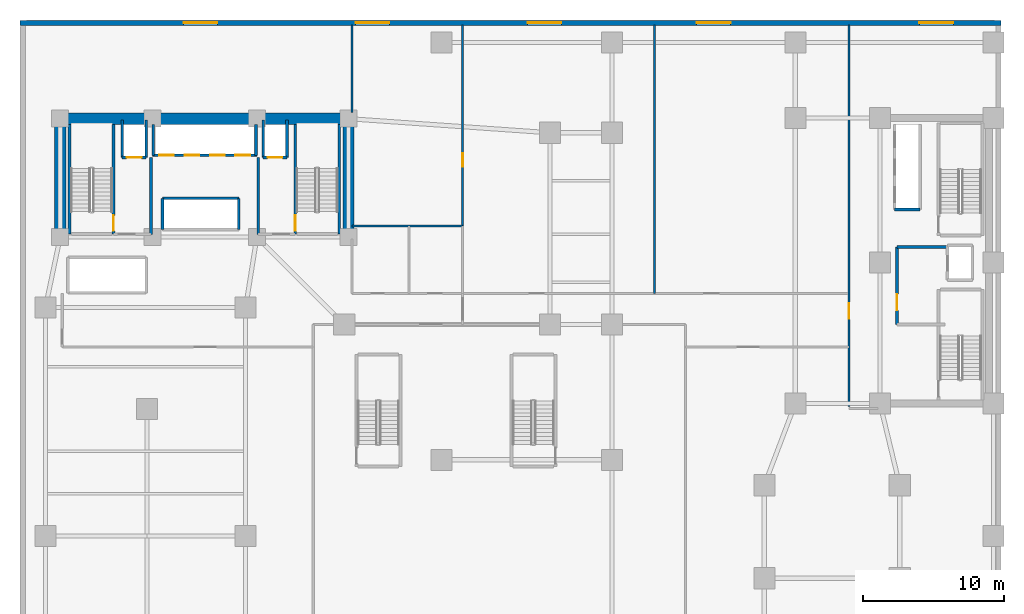
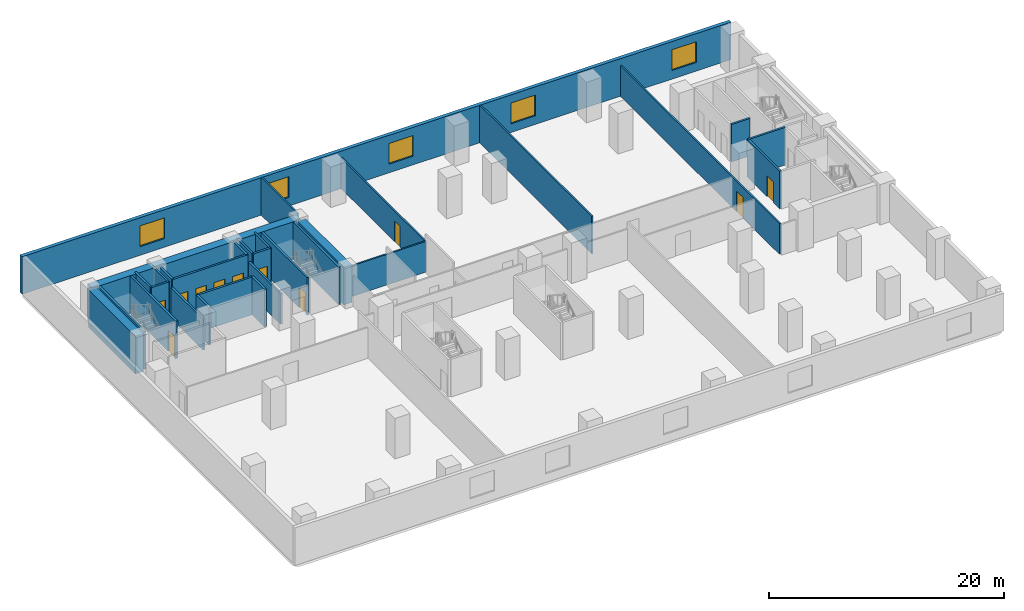
# One storey, part 4 of 8: 30 walls, 11 doors, 5 windows, 16 openings.
"""IFC4 building model written with IfcOpenShell, lengths in metres."""

from ifc_helpers import new_model, si_unit, direction, frame, frame_2d, origin, place, context, subcontext, project, spatial, rectangle, extrude, material, layer, layer_set, type_object, element, fill, save


model = new_model("IFC4")

# Units and contexts
model_context = context("Model", 3, precision=1e-05, world=origin(), true_north=direction((0.0, 1.0)))
body_context = subcontext(model_context, "Body", "Model", "MODEL_VIEW")
ifc_project = project(units=[si_unit("LENGTHUNIT", "METRE"), si_unit("AREAUNIT", "SQUARE_METRE"), si_unit("VOLUMEUNIT", "CUBIC_METRE"), si_unit("PLANEANGLEUNIT", "RADIAN"), si_unit("MASSUNIT", "GRAM", prefix="KILO")], contexts=[model_context])

# Site, building, storey
site_placement = place(None, origin())
site = spatial("IfcSite", under=ifc_project, at=site_placement, CompositionType="ELEMENT")
building_placement = place(site_placement, origin())
building = spatial("IfcBuilding", under=site, at=building_placement, Name="Kuzgunbayir Cultural Tower", CompositionType="ELEMENT")
storey_placement = place(building_placement, frame((0.0, 0.0, 17.60009765625)))
storey = spatial("IfcBuildingStorey", under=building, at=storey_placement, Name="L04", CompositionType="ELEMENT", Elevation=17.60009765625)

# Walls
ifc_material_1 = material(Name="Concrete C60/75", Category="concrete")
ifc_layer_1 = layer(ifc_material_1, 0.800048828125)
ifc_layer_set_1 = layer_set([ifc_layer_1], Name="Concrete C60/75")
wall_type_1 = type_object("IfcWallType", Name="WAL-CORE-800", PredefinedType="SHEAR", material=ifc_layer_set_1)
wall_1_placement = place(storey_placement, frame((6.449951171875, 42.199951171875, 0.0), z_axis=(0.0, 0.0, 1.0), x_axis=(1.0, 0.0, 0.0)))
element("IfcWall", 1, at=wall_1_placement, inside=storey, type_object=wall_type_1, Name="L04 T1 Core North Shear Wall", PredefinedType="SHEAR", context=body_context, shape_type="SweptSolid", body=[
    extrude(rectangle(XDim=20.449951171875, YDim=0.800048828125, at=frame_2d((10.22509765625, 0.0))), origin(), (0.0, 0.0, 1.0), 3.89990234375),
])
for number, where, z_axis, x_axis, name in (
    (2, (6.449951171875, 33.800048828125, 0.0), (0.0, 0.0, 1.0), (0.0, 1.0, 0.0), "L04 T1 Core West Shear Wall"),
    (3, (26.89990234375, 33.800048828125, 0.0), (0.0, 0.0, 1.0), (0.0, 1.0, 0.0), "L04 T1 Core East Shear Wall"),
):
    element("IfcWall", number, at=place(storey_placement, frame(where, z_axis=z_axis, x_axis=x_axis)), inside=storey, type_object=wall_type_1, Name=name, PredefinedType="SHEAR", context=body_context, shape_type="SweptSolid", body=[
        extrude(rectangle(XDim=7.949951171875, YDim=0.800048828125, at=frame_2d((3.97509765625, 0.0))), origin(), (0.0, 0.0, 1.0), 3.89990234375),
    ])

# Wall, openings, windows
ifc_material_2 = material(Name="Anatolian Cream Limestone", Category="masonry")
ifc_layer_2 = layer(ifc_material_2, 0.35009765625)
ifc_layer_set_2 = layer_set([ifc_layer_2], Name="Anatolian Cream Limestone")
wall_type_2 = type_object("IfcWallType", Name="WAL-EXT-STONE-350", PredefinedType="STANDARD", material=ifc_layer_set_2)
wall_2_placement = place(storey_placement, frame((73.199951171875, 49.0, 0.0), z_axis=(0.0, 0.0, 1.0), x_axis=(-1.0, 0.0, 0.0)))
wall_2 = element("IfcWall", 4, at=wall_2_placement, inside=storey, type_object=wall_type_2, Name="L04 Podium North Limestone Facade", PredefinedType="STANDARD", context=body_context, shape_type="SweptSolid", body=[
    extrude(rectangle(XDim=69.599853515625, YDim=0.35009765625, at=frame_2d((34.7998046875, 0.0))), origin(), (0.0, 0.0, 1.0), 3.89990234375),
])
opening_1_placement = place(wall_2_placement, frame((3.39990234375, 0.0, 0.89990234375)))
opening_1 = element("IfcOpeningElement", 5, at=opening_1_placement, cuts=wall_2, Name="Opening WG-24", PredefinedType="OPENING", context=body_context, shape_type="SweptSolid", body=[
    extrude(rectangle(XDim=2.39990234375, YDim=2.14990234375, at=frame_2d((1.199951171875, 1.074951171875))), frame((0.0, 0.18505859375, 0.0), z_axis=(0.0, -1.0, 0.0), x_axis=(1.0, 0.0, 0.0)), (0.0, 0.0, 1.0), 0.3701171875),
])
opening_2_placement = place(wall_2_placement, frame((19.199951171875, 0.0, 0.89990234375)))
opening_2 = element("IfcOpeningElement", 6, at=opening_2_placement, cuts=wall_2, Name="Opening WG-24", PredefinedType="OPENING", context=body_context, shape_type="SweptSolid", body=[
    extrude(rectangle(XDim=2.39990234375, YDim=2.14990234375, at=frame_2d((1.199951171875, 1.074951171875))), frame((0.0, 0.18505859375, 0.0), z_axis=(0.0, -1.0, 0.0), x_axis=(1.0, 0.0, 0.0)), (0.0, 0.0, 1.0), 0.3701171875),
])
opening_3_placement = place(wall_2_placement, frame((31.199951171875, 0.0, 0.89990234375)))
opening_3 = element("IfcOpeningElement", 7, at=opening_3_placement, cuts=wall_2, Name="Opening WG-24", PredefinedType="OPENING", context=body_context, shape_type="SweptSolid", body=[
    extrude(rectangle(XDim=2.39990234375, YDim=2.14990234375, at=frame_2d((1.199951171875, 1.074951171875))), frame((0.0, 0.18505859375, 0.0), z_axis=(0.0, -1.0, 0.0), x_axis=(1.0, 0.0, 0.0)), (0.0, 0.0, 1.0), 0.3701171875),
])
opening_4_placement = place(wall_2_placement, frame((43.39990234375, 0.0, 0.89990234375)))
opening_4 = element("IfcOpeningElement", 8, at=opening_4_placement, cuts=wall_2, Name="Opening WG-24", PredefinedType="OPENING", context=body_context, shape_type="SweptSolid", body=[
    extrude(rectangle(XDim=2.39990234375, YDim=2.14990234375, at=frame_2d((1.199951171875, 1.074951171875))), frame((0.0, 0.18505859375, 0.0), z_axis=(0.0, -1.0, 0.0), x_axis=(1.0, 0.0, 0.0)), (0.0, 0.0, 1.0), 0.3701171875),
])
opening_5_placement = place(wall_2_placement, frame((55.60009765625, 0.0, 0.89990234375)))
opening_5 = element("IfcOpeningElement", 9, at=opening_5_placement, cuts=wall_2, Name="Opening WG-24", PredefinedType="OPENING", context=body_context, shape_type="SweptSolid", body=[
    extrude(rectangle(XDim=2.39990234375, YDim=2.14990234375, at=frame_2d((1.199951171875, 1.074951171875))), frame((0.0, 0.18505859375, 0.0), z_axis=(0.0, -1.0, 0.0), x_axis=(1.0, 0.0, 0.0)), (0.0, 0.0, 1.0), 0.3701171875),
])
ifc_material_3 = material(Name="Solar-Control Triple Glazing", Category="glass")
window_type = type_object("IfcWindowType", Name="WIN-GALLERY-24", PartitioningType="SINGLE_PANEL", PredefinedType="WINDOW", material=ifc_material_3)
window_1_placement = place(opening_1_placement, origin())
window_1 = element("IfcWindow", 10, at=window_1_placement, inside=storey, type_object=window_type, Name="L04 Podium North Gallery Window 1", OverallHeight=2.14990234375, OverallWidth=2.39990234375, PartitioningType="SINGLE_PANEL", PredefinedType="WINDOW", context=body_context, shape_type="SweptSolid", body=[
    extrude(rectangle(XDim=2.39990234375, YDim=2.14990234375, at=frame_2d((1.199951171875, 1.074951171875))), frame((0.0, 0.030029296875, 0.0), z_axis=(0.0, -1.0, 0.0), x_axis=(1.0, 0.0, 0.0)), (0.0, 0.0, 1.0), 0.06005859375),
])
fill(opening_1, window_1)
window_2_placement = place(opening_2_placement, origin())
window_2 = element("IfcWindow", 11, at=window_2_placement, inside=storey, type_object=window_type, Name="L04 Podium North Gallery Window 2", OverallHeight=2.14990234375, OverallWidth=2.39990234375, PartitioningType="SINGLE_PANEL", PredefinedType="WINDOW", context=body_context, shape_type="SweptSolid", body=[
    extrude(rectangle(XDim=2.39990234375, YDim=2.14990234375, at=frame_2d((1.199951171875, 1.074951171875))), frame((0.0, 0.030029296875, 0.0), z_axis=(0.0, -1.0, 0.0), x_axis=(1.0, 0.0, 0.0)), (0.0, 0.0, 1.0), 0.06005859375),
])
fill(opening_2, window_2)
window_3_placement = place(opening_3_placement, origin())
window_3 = element("IfcWindow", 12, at=window_3_placement, inside=storey, type_object=window_type, Name="L04 Podium North Gallery Window 3", OverallHeight=2.14990234375, OverallWidth=2.39990234375, PartitioningType="SINGLE_PANEL", PredefinedType="WINDOW", context=body_context, shape_type="SweptSolid", body=[
    extrude(rectangle(XDim=2.39990234375, YDim=2.14990234375, at=frame_2d((1.199951171875, 1.074951171875))), frame((0.0, 0.030029296875, 0.0), z_axis=(0.0, -1.0, 0.0), x_axis=(1.0, 0.0, 0.0)), (0.0, 0.0, 1.0), 0.06005859375),
])
fill(opening_3, window_3)
window_4_placement = place(opening_4_placement, origin())
window_4 = element("IfcWindow", 13, at=window_4_placement, inside=storey, type_object=window_type, Name="L04 Podium North Gallery Window 4", OverallHeight=2.14990234375, OverallWidth=2.39990234375, PartitioningType="SINGLE_PANEL", PredefinedType="WINDOW", context=body_context, shape_type="SweptSolid", body=[
    extrude(rectangle(XDim=2.39990234375, YDim=2.14990234375, at=frame_2d((1.199951171875, 1.074951171875))), frame((0.0, 0.030029296875, 0.0), z_axis=(0.0, -1.0, 0.0), x_axis=(1.0, 0.0, 0.0)), (0.0, 0.0, 1.0), 0.06005859375),
])
fill(opening_4, window_4)
window_5_placement = place(opening_5_placement, origin())
window_5 = element("IfcWindow", 14, at=window_5_placement, inside=storey, type_object=window_type, Name="L04 Podium North Gallery Window 5", OverallHeight=2.14990234375, OverallWidth=2.39990234375, PartitioningType="SINGLE_PANEL", PredefinedType="WINDOW", context=body_context, shape_type="SweptSolid", body=[
    extrude(rectangle(XDim=2.39990234375, YDim=2.14990234375, at=frame_2d((1.199951171875, 1.074951171875))), frame((0.0, 0.030029296875, 0.0), z_axis=(0.0, -1.0, 0.0), x_axis=(1.0, 0.0, 0.0)), (0.0, 0.0, 1.0), 0.06005859375),
])
fill(opening_5, window_5)

# Wall, opening, door
ifc_material_4 = material(Name="Acoustic Double-Stud Drywall", Category="gypsum")
ifc_layer_3 = layer(ifc_material_4, 0.14990234375)
ifc_layer_set_3 = layer_set([ifc_layer_3], Name="Acoustic Double-Stud Drywall")
wall_type_3 = type_object("IfcWallType", Name="WAL-PART-ACOUSTIC-150", PredefinedType="PARTITIONING", material=ifc_layer_set_3)
wall_3_placement = place(storey_placement, frame((35.0, 34.60009765625, 0.0), z_axis=(0.0, 0.0, 1.0), x_axis=(0.0, 1.0, 0.0)))
wall_3 = element("IfcWall", 15, at=wall_3_placement, inside=storey, type_object=wall_type_3, Name="L04 Archive West Wall", PredefinedType="PARTITIONING", context=body_context, shape_type="SweptSolid", body=[
    extrude(rectangle(XDim=14.25, YDim=0.14990234375, at=frame_2d((7.125, 0.0))), origin(), (0.0, 0.0, 1.0), 3.179931640625),
])
opening_6_placement = place(wall_3_placement, frame((4.199951171875, 0.0, 0.0)))
opening_6 = element("IfcOpeningElement", 16, at=opening_6_placement, cuts=wall_3, Name="Opening DI-90", PredefinedType="OPENING", context=body_context, shape_type="SweptSolid", body=[
    extrude(rectangle(XDim=0.949951171875, YDim=2.14990234375, at=frame_2d((0.47509765625, 1.074951171875))), frame((0.0, 0.0849609375, 0.0), z_axis=(0.0, -1.0, 0.0), x_axis=(1.0, 0.0, 0.0)), (0.0, 0.0, 1.0), 0.169921875),
])
ifc_material_5 = material(Name="Veneered Oak Single Leaf", Category="wood")
door_type_1 = type_object("IfcDoorType", Name="DR-INT-90", OperationType="NOTDEFINED", PredefinedType="DOOR", material=ifc_material_5)
door_1_placement = place(opening_6_placement, origin())
door_1 = element("IfcDoor", 17, at=door_1_placement, inside=storey, type_object=door_type_1, Name="L04 Collection Study Room Door", OperationType="SINGLE_SWING_LEFT", OverallHeight=2.14990234375, OverallWidth=0.949951171875, PredefinedType="DOOR", context=body_context, shape_type="SweptSolid", body=[
    extrude(rectangle(XDim=0.949951171875, YDim=2.14990234375, at=frame_2d((0.47509765625, 1.074951171875))), frame((0.0, 0.02490234375, 0.0), z_axis=(0.0, -1.0, 0.0), x_axis=(1.0, 0.0, 0.0)), (0.0, 0.0, 1.0), 0.050048828125),
])
fill(opening_6, door_1)

# Wall
wall_4_placement = place(storey_placement, frame((48.60009765625, 29.800048828125, 0.0), z_axis=(0.0, 0.0, 1.0), x_axis=(0.0, 1.0, 0.0)))
element("IfcWall", 18, at=wall_4_placement, inside=storey, type_object=wall_type_3, Name="L04 North Gallery Divider", PredefinedType="PARTITIONING", context=body_context, shape_type="SweptSolid", body=[
    extrude(rectangle(XDim=19.050048828125, YDim=0.14990234375, at=frame_2d((9.52490234375, 0.0))), origin(), (0.0, 0.0, 1.0), 3.89990234375),
])

# Wall, opening, door
wall_5_placement = place(storey_placement, frame((62.39990234375, 21.800048828125, 0.0), z_axis=(0.0, 0.0, 1.0), x_axis=(0.0, 1.0, 0.0)))
wall_5 = element("IfcWall", 19, at=wall_5_placement, inside=storey, type_object=wall_type_3, Name="L04 Companion Core West Wall", PredefinedType="PARTITIONING", context=body_context, shape_type="SweptSolid", body=[
    extrude(rectangle(XDim=27.050048828125, YDim=0.14990234375, at=frame_2d((13.52490234375, 0.0))), origin(), (0.0, 0.0, 1.0), 3.179931640625),
])
opening_7_placement = place(wall_5_placement, frame((6.199951171875, 0.0, 0.0)))
opening_7 = element("IfcOpeningElement", 20, at=opening_7_placement, cuts=wall_5, Name="Opening DR-STAIR-90", PredefinedType="OPENING", context=body_context, shape_type="SweptSolid", body=[
    extrude(rectangle(XDim=1.10009765625, YDim=2.14990234375, at=frame_2d((0.550048828125, 1.074951171875))), frame((0.0, 0.0849609375, 0.0), z_axis=(0.0, -1.0, 0.0), x_axis=(1.0, 0.0, 0.0)), (0.0, 0.0, 1.0), 0.169921875),
])
ifc_material_6 = material(Name="Steel S355J2", Category="steel")
door_type_2 = type_object("IfcDoorType", Name="DR-STAIR-90", OperationType="NOTDEFINED", PredefinedType="DOOR", material=ifc_material_6)
door_2_placement = place(opening_7_placement, origin())
door_2 = element("IfcDoor", 21, at=door_2_placement, inside=storey, type_object=door_type_2, Name="L04 Companion Core Concourse Door", OperationType="SINGLE_SWING_LEFT", OverallHeight=2.14990234375, OverallWidth=1.10009765625, PredefinedType="DOOR", context=body_context, shape_type="SweptSolid", body=[
    extrude(rectangle(XDim=1.10009765625, YDim=2.14990234375, at=frame_2d((0.550048828125, 1.074951171875))), frame((0.0, 0.02490234375, 0.0), z_axis=(0.0, -1.0, 0.0), x_axis=(1.0, 0.0, 0.0)), (0.0, 0.0, 1.0), 0.050048828125),
])
fill(opening_7, door_2)

# Walls
ifc_material_7 = material(Name="Aerated Concrete Blockwork", Category="masonry")
ifc_layer_4 = layer(ifc_material_7, 0.199951171875)
ifc_layer_set_4 = layer_set([ifc_layer_4], Name="Aerated Concrete Blockwork")
wall_type_4 = type_object("IfcWallType", Name="WAL-PART-FIRE-200", PredefinedType="PARTITIONING", material=ifc_layer_set_4)
for number, where, z_axis, x_axis, name in (
    (22, (12.89990234375, 34.0, 0.0), (0.0, 0.0, 1.0), (0.0, 1.0, 0.0), "L04 FFL-1 Lobby East Fire Wall"),
    (23, (20.5, 34.0, 0.0), (0.0, 0.0, 1.0), (0.0, 1.0, 0.0), "L04 FFL-2 Lobby West Fire Wall"),
):
    element("IfcWall", number, at=place(storey_placement, frame(where, z_axis=z_axis, x_axis=x_axis)), inside=storey, type_object=wall_type_4, Name=name, PredefinedType="PARTITIONING", context=body_context, shape_type="SweptSolid", body=[
        extrude(rectangle(XDim=5.449951171875, YDim=0.199951171875, at=frame_2d((2.72509765625, 0.0))), origin(), (0.0, 0.0, 1.0), 3.179931640625),
    ])

# Wall, opening, door
wall_6_placement = place(storey_placement, frame((65.800048828125, 27.60009765625, 0.0), z_axis=(0.0, 0.0, 1.0), x_axis=(0.0, 1.0, 0.0)))
wall_6 = element("IfcWall", 24, at=wall_6_placement, inside=storey, type_object=wall_type_4, Name="L04 FFL-3 Lobby West Fire Wall", PredefinedType="PARTITIONING", context=body_context, shape_type="SweptSolid", body=[
    extrude(rectangle(XDim=5.5, YDim=0.199951171875, at=frame_2d((2.75, 0.0))), origin(), (0.0, 0.0, 1.0), 3.89990234375),
])
opening_8_placement = place(wall_6_placement, frame((1.0, 0.0, 0.0)))
opening_8 = element("IfcOpeningElement", 25, at=opening_8_placement, cuts=wall_6, Name="Opening DR-FFL-90", PredefinedType="OPENING", context=body_context, shape_type="SweptSolid", body=[
    extrude(rectangle(XDim=1.14990234375, YDim=2.14990234375, at=frame_2d((0.574951171875, 1.074951171875))), frame((0.0, 0.10986328125, 0.0), z_axis=(0.0, -1.0, 0.0), x_axis=(1.0, 0.0, 0.0)), (0.0, 0.0, 1.0), 0.219970703125),
])
door_type_3 = type_object("IfcDoorType", Name="DR-FFL-90", OperationType="NOTDEFINED", PredefinedType="DOOR", material=ifc_material_6)
door_3_placement = place(opening_8_placement, origin())
door_3 = element("IfcDoor", 26, at=door_3_placement, inside=storey, type_object=door_type_3, Name="L04 Firefighting Lobby 3 Door", OperationType="SINGLE_SWING_LEFT", OverallHeight=2.14990234375, OverallWidth=1.14990234375, PredefinedType="DOOR", context=body_context, shape_type="SweptSolid", body=[
    extrude(rectangle(XDim=1.14990234375, YDim=2.14990234375, at=frame_2d((0.574951171875, 1.074951171875))), frame((0.0, 0.02490234375, 0.0), z_axis=(0.0, -1.0, 0.0), x_axis=(1.0, 0.0, 0.0)), (0.0, 0.0, 1.0), 0.050048828125),
])
fill(opening_8, door_3)

# Walls
wall_7_placement = place(storey_placement, frame((65.800048828125, 33.10009765625, 0.0), z_axis=(0.0, 0.0, 1.0), x_axis=(1.0, 0.0, 0.0)))
element("IfcWall", 27, at=wall_7_placement, inside=storey, type_object=wall_type_4, Name="L04 FFL-3 Lobby North Fire Wall", PredefinedType="PARTITIONING", context=body_context, shape_type="SweptSolid", body=[
    extrude(rectangle(XDim=3.599853515625, YDim=0.199951171875, at=frame_2d((1.7998046875, 0.0))), origin(), (0.0, 0.0, 1.0), 3.89990234375),
])
ifc_material_8 = material(Name="Moisture-Resistant Tile Partition", Category="gypsum")
ifc_layer_5 = layer(ifc_material_8, 0.14990234375)
ifc_layer_set_5 = layer_set([ifc_layer_5], Name="Moisture-Resistant Tile Partition")
wall_type_5 = type_object("IfcWallType", Name="WAL-PART-WET-150", PredefinedType="PARTITIONING", material=ifc_layer_set_5)
wall_8_placement = place(storey_placement, frame((27.14990234375, 42.64990234375, 0.0), z_axis=(0.0, 0.0, 1.0), x_axis=(0.0, 1.0, 0.0)))
element("IfcWall", 28, at=wall_8_placement, inside=storey, type_object=wall_type_5, Name="L04 Core East Partition North", PredefinedType="PARTITIONING", context=body_context, shape_type="SweptSolid", body=[
    extrude(rectangle(XDim=6.2001953125, YDim=0.14990234375, at=frame_2d((3.10009765625, 0.0))), origin(), (0.0, 0.0, 1.0), 3.89990234375),
])
wall_9_placement = place(storey_placement, frame((27.14990234375, 34.60009765625, 0.0), z_axis=(0.0, 0.0, 1.0), x_axis=(1.0, 0.0, 0.0)))
element("IfcWall", 29, at=wall_9_placement, inside=storey, type_object=wall_type_5, Name="L04 Restroom North Back Wall", PredefinedType="PARTITIONING", context=body_context, shape_type="SweptSolid", body=[
    extrude(rectangle(XDim=7.85009765625, YDim=0.14990234375, at=frame_2d((3.925048828125, 0.0))), origin(), (0.0, 0.0, 1.0), 3.179931640625),
])

# Wall, opening, door
ifc_material_9 = material(Name="Concrete C40/50", Category="concrete")
ifc_layer_6 = layer(ifc_material_9, 0.199951171875)
ifc_layer_set_6 = layer_set([ifc_layer_6], Name="Concrete C40/50")
wall_type_6 = type_object("IfcWallType", Name="WAL-SHAFT-200", PredefinedType="MOVABLE", material=ifc_layer_set_6)
wall_10_placement = place(storey_placement, frame((10.85009765625, 39.449951171875, 0.0), z_axis=(0.0, 0.0, 1.0), x_axis=(1.0, 0.0, 0.0)))
wall_10 = element("IfcWall", 30, at=wall_10_placement, inside=storey, type_object=wall_type_6, Name="L04 FFL-1 Lift Front Wall", PredefinedType="MOVABLE", context=body_context, shape_type="SweptSolid", body=[
    extrude(rectangle(XDim=1.699951171875, YDim=0.199951171875, at=frame_2d((0.85009765625, 0.0))), origin(), (0.0, 0.0, 1.0), 3.89990234375),
])
opening_9_placement = place(wall_10_placement, frame((0.320068359375, 0.0, 0.0)))
opening_9 = element("IfcOpeningElement", 31, at=opening_9_placement, cuts=wall_10, Name="Opening LD", PredefinedType="OPENING", context=body_context, shape_type="SweptSolid", body=[
    extrude(rectangle(XDim=1.050048828125, YDim=2.14990234375, at=frame_2d((0.52490234375, 1.074951171875))), frame((0.0, 0.10986328125, 0.0), z_axis=(0.0, -1.0, 0.0), x_axis=(1.0, 0.0, 0.0)), (0.0, 0.0, 1.0), 0.219970703125),
])
ifc_material_10 = material(Name="Brushed Stainless Steel", Category="steel")
door_type_4 = type_object("IfcDoorType", Name="DR-LIFT-LANDING", OperationType="SLIDING_TO_LEFT", PredefinedType="DOOR", material=ifc_material_10)
door_4_placement = place(opening_9_placement, origin())
door_4 = element("IfcDoor", 32, at=door_4_placement, inside=storey, type_object=door_type_4, Name="L04 Lift FFL-1 Landing Door", OperationType="SLIDING_TO_LEFT", OverallHeight=2.14990234375, OverallWidth=1.050048828125, PredefinedType="DOOR", context=body_context, shape_type="SweptSolid", body=[
    extrude(rectangle(XDim=1.050048828125, YDim=2.14990234375, at=frame_2d((0.52490234375, 1.074951171875))), frame((0.0, 0.02490234375, 0.0), z_axis=(0.0, -1.0, 0.0), x_axis=(1.0, 0.0, 0.0)), (0.0, 0.0, 1.0), 0.050048828125),
])
fill(opening_9, door_4)

wall_11_placement = place(storey_placement, frame((20.85009765625, 39.449951171875, 0.0), z_axis=(0.0, 0.0, 1.0), x_axis=(1.0, 0.0, 0.0)))
wall_11 = element("IfcWall", 33, at=wall_11_placement, inside=storey, type_object=wall_type_6, Name="L04 FFL-2 Lift Front Wall", PredefinedType="MOVABLE", context=body_context, shape_type="SweptSolid", body=[
    extrude(rectangle(XDim=1.699951171875, YDim=0.199951171875, at=frame_2d((0.85009765625, 0.0))), origin(), (0.0, 0.0, 1.0), 3.89990234375),
])
opening_10_placement = place(wall_11_placement, frame((0.320068359375, 0.0, 0.0)))
opening_10 = element("IfcOpeningElement", 34, at=opening_10_placement, cuts=wall_11, Name="Opening LD", PredefinedType="OPENING", context=body_context, shape_type="SweptSolid", body=[
    extrude(rectangle(XDim=1.050048828125, YDim=2.14990234375, at=frame_2d((0.52490234375, 1.074951171875))), frame((0.0, 0.10986328125, 0.0), z_axis=(0.0, -1.0, 0.0), x_axis=(1.0, 0.0, 0.0)), (0.0, 0.0, 1.0), 0.219970703125),
])
door_5_placement = place(opening_10_placement, origin())
door_5 = element("IfcDoor", 35, at=door_5_placement, inside=storey, type_object=door_type_4, Name="L04 Lift FFL-2 Landing Door", OperationType="SLIDING_TO_LEFT", OverallHeight=2.14990234375, OverallWidth=1.050048828125, PredefinedType="DOOR", context=body_context, shape_type="SweptSolid", body=[
    extrude(rectangle(XDim=1.050048828125, YDim=2.14990234375, at=frame_2d((0.52490234375, 1.074951171875))), frame((0.0, 0.02490234375, 0.0), z_axis=(0.0, -1.0, 0.0), x_axis=(1.0, 0.0, 0.0)), (0.0, 0.0, 1.0), 0.050048828125),
])
fill(opening_10, door_5)

# Walls
for number, where, z_axis, x_axis, name in (
    (36, (10.85009765625, 39.449951171875, 0.0), (0.0, 0.0, 1.0), (0.0, 1.0, 0.0), "L04 FFL-1 Shaft West Wall"),
    (37, (12.550048828125, 39.449951171875, 0.0), (0.0, 0.0, 1.0), (0.0, 1.0, 0.0), "L04 FFL-1 Shaft East Wall"),
    (38, (20.85009765625, 39.449951171875, 0.0), (0.0, 0.0, 1.0), (0.0, 1.0, 0.0), "L04 FFL-2 Shaft West Wall"),
    (39, (22.550048828125, 39.449951171875, 0.0), (0.0, 0.0, 1.0), (0.0, 1.0, 0.0), "L04 FFL-2 Shaft East Wall"),
):
    element("IfcWall", number, at=place(storey_placement, frame(where, z_axis=z_axis, x_axis=x_axis)), inside=storey, type_object=wall_type_6, Name=name, PredefinedType="MOVABLE", context=body_context, shape_type="SweptSolid", body=[
        extrude(rectangle(XDim=2.650146484375, YDim=0.199951171875, at=frame_2d((1.3251953125, 0.0))), origin(), (0.0, 0.0, 1.0), 3.89990234375),
    ])

# Wall, openings, doors
wall_12_placement = place(storey_placement, frame((13.0, 39.60009765625, 0.0), z_axis=(0.0, 0.0, 1.0), x_axis=(1.0, 0.0, 0.0)))
wall_12 = element("IfcWall", 40, at=wall_12_placement, inside=storey, type_object=wall_type_6, Name="L04 Low-Rise Lift Front Wall", PredefinedType="MOVABLE", context=body_context, shape_type="SweptSolid", body=[
    extrude(rectangle(XDim=7.39990234375, YDim=0.199951171875, at=frame_2d((3.699951171875, 0.0))), origin(), (0.0, 0.0, 1.0), 3.89990234375),
])
opening_11_placement = place(wall_12_placement, frame((0.469970703125, 0.0, 0.0)))
opening_11 = element("IfcOpeningElement", 41, at=opening_11_placement, cuts=wall_12, Name="Opening LD", PredefinedType="OPENING", context=body_context, shape_type="SweptSolid", body=[
    extrude(rectangle(XDim=1.050048828125, YDim=2.14990234375, at=frame_2d((0.52490234375, 1.074951171875))), frame((0.0, 0.10986328125, 0.0), z_axis=(0.0, -1.0, 0.0), x_axis=(1.0, 0.0, 0.0)), (0.0, 0.0, 1.0), 0.219970703125),
])
opening_12_placement = place(wall_12_placement, frame((2.280029296875, 0.0, 0.0)))
opening_12 = element("IfcOpeningElement", 42, at=opening_12_placement, cuts=wall_12, Name="Opening LD", PredefinedType="OPENING", context=body_context, shape_type="SweptSolid", body=[
    extrude(rectangle(XDim=1.050048828125, YDim=2.14990234375, at=frame_2d((0.52490234375, 1.074951171875))), frame((0.0, 0.10986328125, 0.0), z_axis=(0.0, -1.0, 0.0), x_axis=(1.0, 0.0, 0.0)), (0.0, 0.0, 1.0), 0.219970703125),
])
opening_13_placement = place(wall_12_placement, frame((4.080078125, 0.0, 0.0)))
opening_13 = element("IfcOpeningElement", 43, at=opening_13_placement, cuts=wall_12, Name="Opening LD", PredefinedType="OPENING", context=body_context, shape_type="SweptSolid", body=[
    extrude(rectangle(XDim=1.050048828125, YDim=2.14990234375, at=frame_2d((0.52490234375, 1.074951171875))), frame((0.0, 0.10986328125, 0.0), z_axis=(0.0, -1.0, 0.0), x_axis=(1.0, 0.0, 0.0)), (0.0, 0.0, 1.0), 0.219970703125),
])
opening_14_placement = place(wall_12_placement, frame((5.8798828125, 0.0, 0.0)))
opening_14 = element("IfcOpeningElement", 44, at=opening_14_placement, cuts=wall_12, Name="Opening LD", PredefinedType="OPENING", context=body_context, shape_type="SweptSolid", body=[
    extrude(rectangle(XDim=1.050048828125, YDim=2.14990234375, at=frame_2d((0.52490234375, 1.074951171875))), frame((0.0, 0.10986328125, 0.0), z_axis=(0.0, -1.0, 0.0), x_axis=(1.0, 0.0, 0.0)), (0.0, 0.0, 1.0), 0.219970703125),
])
door_6_placement = place(opening_11_placement, origin())
door_6 = element("IfcDoor", 45, at=door_6_placement, inside=storey, type_object=door_type_4, Name="L04 Lift PL-1 Landing Door", OperationType="SLIDING_TO_LEFT", OverallHeight=2.14990234375, OverallWidth=1.050048828125, PredefinedType="DOOR", context=body_context, shape_type="SweptSolid", body=[
    extrude(rectangle(XDim=1.050048828125, YDim=2.14990234375, at=frame_2d((0.52490234375, 1.074951171875))), frame((0.0, 0.02490234375, 0.0), z_axis=(0.0, -1.0, 0.0), x_axis=(1.0, 0.0, 0.0)), (0.0, 0.0, 1.0), 0.050048828125),
])
fill(opening_11, door_6)
door_7_placement = place(opening_12_placement, origin())
door_7 = element("IfcDoor", 46, at=door_7_placement, inside=storey, type_object=door_type_4, Name="L04 Lift PL-2 Landing Door", OperationType="SLIDING_TO_LEFT", OverallHeight=2.14990234375, OverallWidth=1.050048828125, PredefinedType="DOOR", context=body_context, shape_type="SweptSolid", body=[
    extrude(rectangle(XDim=1.050048828125, YDim=2.14990234375, at=frame_2d((0.52490234375, 1.074951171875))), frame((0.0, 0.02490234375, 0.0), z_axis=(0.0, -1.0, 0.0), x_axis=(1.0, 0.0, 0.0)), (0.0, 0.0, 1.0), 0.050048828125),
])
fill(opening_12, door_7)
door_8_placement = place(opening_13_placement, origin())
door_8 = element("IfcDoor", 47, at=door_8_placement, inside=storey, type_object=door_type_4, Name="L04 Lift PL-3 Landing Door", OperationType="SLIDING_TO_LEFT", OverallHeight=2.14990234375, OverallWidth=1.050048828125, PredefinedType="DOOR", context=body_context, shape_type="SweptSolid", body=[
    extrude(rectangle(XDim=1.050048828125, YDim=2.14990234375, at=frame_2d((0.52490234375, 1.074951171875))), frame((0.0, 0.02490234375, 0.0), z_axis=(0.0, -1.0, 0.0), x_axis=(1.0, 0.0, 0.0)), (0.0, 0.0, 1.0), 0.050048828125),
])
fill(opening_13, door_8)
door_9_placement = place(opening_14_placement, origin())
door_9 = element("IfcDoor", 48, at=door_9_placement, inside=storey, type_object=door_type_4, Name="L04 Lift PL-4 Landing Door", OperationType="SLIDING_TO_LEFT", OverallHeight=2.14990234375, OverallWidth=1.050048828125, PredefinedType="DOOR", context=body_context, shape_type="SweptSolid", body=[
    extrude(rectangle(XDim=1.050048828125, YDim=2.14990234375, at=frame_2d((0.52490234375, 1.074951171875))), frame((0.0, 0.02490234375, 0.0), z_axis=(0.0, -1.0, 0.0), x_axis=(1.0, 0.0, 0.0)), (0.0, 0.0, 1.0), 0.050048828125),
])
fill(opening_14, door_9)

# Walls
for number, where, z_axis, x_axis, name in (
    (49, (13.050048828125, 39.60009765625, 0.0), (0.0, 0.0, 1.0), (0.0, 1.0, 0.0), "L04 Low-Rise Lift Shaft West Wall"),
    (50, (20.35009765625, 39.60009765625, 0.0), (0.0, 0.0, 1.0), (0.0, 1.0, 0.0), "L04 Low-Rise Lift Shaft East Wall"),
):
    element("IfcWall", number, at=place(storey_placement, frame(where, z_axis=z_axis, x_axis=x_axis)), inside=storey, type_object=wall_type_6, Name=name, PredefinedType="MOVABLE", context=body_context, shape_type="SweptSolid", body=[
        extrude(rectangle(XDim=2.179931640625, YDim=0.199951171875, at=frame_2d((1.08984375, 0.0))), origin(), (0.0, 0.0, 1.0), 3.89990234375),
    ])
wall_13_placement = place(storey_placement, frame((13.699951171875, 36.550048828125, 0.0), z_axis=(0.0, 0.0, 1.0), x_axis=(1.0, 0.0, 0.0)))
element("IfcWall", 51, at=wall_13_placement, inside=storey, type_object=wall_type_6, Name="L04 Mid-Rise Lift Shaft North Wall", PredefinedType="MOVABLE", context=body_context, shape_type="SweptSolid", body=[
    extrude(rectangle(XDim=5.420166015625, YDim=0.199951171875, at=frame_2d((2.7099609375, 0.0))), origin(), (0.0, 0.0, 1.0), 3.89990234375),
])
for number, where, z_axis, x_axis, name in (
    (52, (13.699951171875, 34.35009765625, 0.0), (0.0, 0.0, 1.0), (0.0, 1.0, 0.0), "L04 Mid-Rise Lift Shaft West Wall"),
    (53, (19.1201171875, 34.35009765625, 0.0), (0.0, 0.0, 1.0), (0.0, 1.0, 0.0), "L04 Mid-Rise Lift Shaft East Wall"),
):
    element("IfcWall", number, at=place(storey_placement, frame(where, z_axis=z_axis, x_axis=x_axis)), inside=storey, type_object=wall_type_6, Name=name, PredefinedType="MOVABLE", context=body_context, shape_type="SweptSolid", body=[
        extrude(rectangle(XDim=2.199951171875, YDim=0.199951171875, at=frame_2d((1.10009765625, 0.0))), origin(), (0.0, 0.0, 1.0), 3.89990234375),
    ])
wall_14_placement = place(storey_placement, frame((65.64990234375, 35.75, 0.0), z_axis=(0.0, 0.0, 1.0), x_axis=(1.0, 0.0, 0.0)))
element("IfcWall", 54, at=wall_14_placement, inside=storey, type_object=wall_type_6, Name="L04 Companion Lift Shaft South Wall", PredefinedType="MOVABLE", context=body_context, shape_type="SweptSolid", body=[
    extrude(rectangle(XDim=1.800048828125, YDim=0.199951171875, at=frame_2d((0.89990234375, 0.0))), origin(), (0.0, 0.0, 1.0), 3.89990234375),
])
ifc_layer_7 = layer(ifc_material_9, 0.199951171875)
ifc_layer_set_7 = layer_set([ifc_layer_7], Name="Concrete C40/50")
wall_type_7 = type_object("IfcWallType", Name="WAL-STAIR-RC-200", PredefinedType="SHEAR", material=ifc_layer_set_7)
wall_15_placement = place(storey_placement, frame((7.1201171875, 34.02001953125, 0.0), z_axis=(0.0, 0.0, 1.0), x_axis=(0.0, 1.0, 0.0)))
element("IfcWall", 55, at=wall_15_placement, inside=storey, type_object=wall_type_7, Name="L04 Stair ST-1 West Structural Wall", PredefinedType="SHEAR", context=body_context, shape_type="SweptSolid", body=[
    extrude(rectangle(XDim=7.780029296875, YDim=0.199951171875, at=frame_2d((3.89013671875, 0.0))), origin(), (0.0, 0.0, 1.0), 3.89990234375),
])

# Wall, opening, door
wall_16_placement = place(storey_placement, frame((10.239990234375, 34.02001953125, 0.0), z_axis=(0.0, 0.0, 1.0), x_axis=(0.0, 1.0, 0.0)))
wall_16 = element("IfcWall", 56, at=wall_16_placement, inside=storey, type_object=wall_type_7, Name="L04 Stair ST-1 East Structural Wall", PredefinedType="SHEAR", context=body_context, shape_type="SweptSolid", body=[
    extrude(rectangle(XDim=7.780029296875, YDim=0.199951171875, at=frame_2d((3.89013671875, 0.0))), origin(), (0.0, 0.0, 1.0), 3.89990234375),
])
opening_15_placement = place(wall_16_placement, frame((0.219970703125, 0.0, 0.0)))
opening_15 = element("IfcOpeningElement", 57, at=opening_15_placement, cuts=wall_16, Name="Opening DR-STAIR-90", PredefinedType="OPENING", context=body_context, shape_type="SweptSolid", body=[
    extrude(rectangle(XDim=1.10009765625, YDim=2.14990234375, at=frame_2d((0.550048828125, 1.074951171875))), frame((0.0, 0.10986328125, 0.0), z_axis=(0.0, -1.0, 0.0), x_axis=(1.0, 0.0, 0.0)), (0.0, 0.0, 1.0), 0.219970703125),
])
door_10_placement = place(opening_15_placement, origin())
door_10 = element("IfcDoor", 58, at=door_10_placement, inside=storey, type_object=door_type_2, Name="L04 Stair ST-1 Fire Door", OperationType="SINGLE_SWING_RIGHT", OverallHeight=2.14990234375, OverallWidth=1.10009765625, PredefinedType="DOOR", context=body_context, shape_type="SweptSolid", body=[
    extrude(rectangle(XDim=1.10009765625, YDim=2.14990234375, at=frame_2d((0.550048828125, 1.074951171875))), frame((0.0, 0.02490234375, 0.0), z_axis=(0.0, -1.0, 0.0), x_axis=(1.0, 0.0, 0.0)), (0.0, 0.0, 1.0), 0.050048828125),
])
fill(opening_15, door_10)

wall_17_placement = place(storey_placement, frame((23.1201171875, 34.02001953125, 0.0), z_axis=(0.0, 0.0, 1.0), x_axis=(0.0, 1.0, 0.0)))
wall_17 = element("IfcWall", 59, at=wall_17_placement, inside=storey, type_object=wall_type_7, Name="L04 Stair ST-2 West Structural Wall", PredefinedType="SHEAR", context=body_context, shape_type="SweptSolid", body=[
    extrude(rectangle(XDim=7.780029296875, YDim=0.199951171875, at=frame_2d((3.89013671875, 0.0))), origin(), (0.0, 0.0, 1.0), 3.89990234375),
])
opening_16_placement = place(wall_17_placement, frame((0.219970703125, 0.0, 0.0)))
opening_16 = element("IfcOpeningElement", 60, at=opening_16_placement, cuts=wall_17, Name="Opening DR-STAIR-90", PredefinedType="OPENING", context=body_context, shape_type="SweptSolid", body=[
    extrude(rectangle(XDim=1.10009765625, YDim=2.14990234375, at=frame_2d((0.550048828125, 1.074951171875))), frame((0.0, 0.10986328125, 0.0), z_axis=(0.0, -1.0, 0.0), x_axis=(1.0, 0.0, 0.0)), (0.0, 0.0, 1.0), 0.219970703125),
])
door_11_placement = place(opening_16_placement, origin())
door_11 = element("IfcDoor", 61, at=door_11_placement, inside=storey, type_object=door_type_2, Name="L04 Stair ST-2 Fire Door", OperationType="SINGLE_SWING_RIGHT", OverallHeight=2.14990234375, OverallWidth=1.10009765625, PredefinedType="DOOR", context=body_context, shape_type="SweptSolid", body=[
    extrude(rectangle(XDim=1.10009765625, YDim=2.14990234375, at=frame_2d((0.550048828125, 1.074951171875))), frame((0.0, 0.02490234375, 0.0), z_axis=(0.0, -1.0, 0.0), x_axis=(1.0, 0.0, 0.0)), (0.0, 0.0, 1.0), 0.050048828125),
])
fill(opening_16, door_11)

# Wall
wall_18_placement = place(storey_placement, frame((26.239990234375, 34.02001953125, 0.0), z_axis=(0.0, 0.0, 1.0), x_axis=(0.0, 1.0, 0.0)))
element("IfcWall", 62, at=wall_18_placement, inside=storey, type_object=wall_type_7, Name="L04 Stair ST-2 East Structural Wall", PredefinedType="SHEAR", context=body_context, shape_type="SweptSolid", body=[
    extrude(rectangle(XDim=7.780029296875, YDim=0.199951171875, at=frame_2d((3.89013671875, 0.0))), origin(), (0.0, 0.0, 1.0), 3.89990234375),
])

save(model, "model.ifc")
